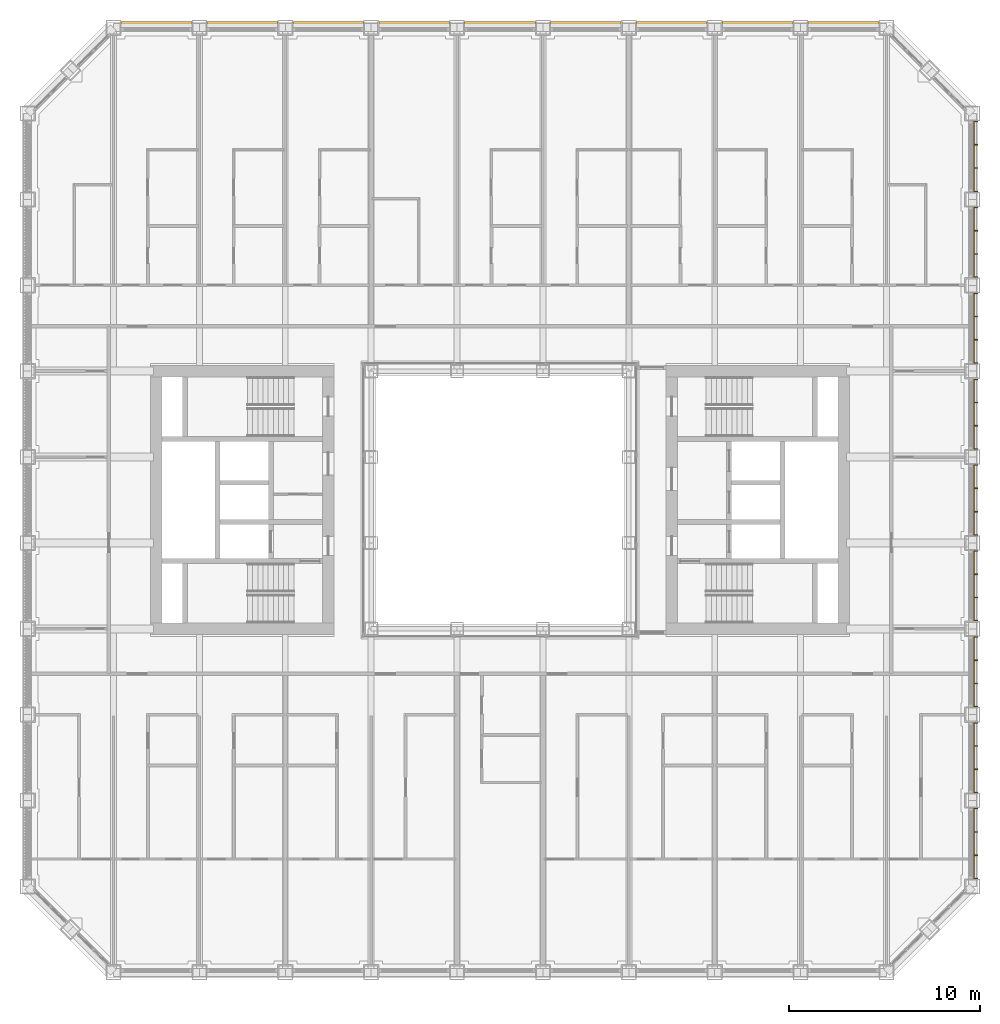
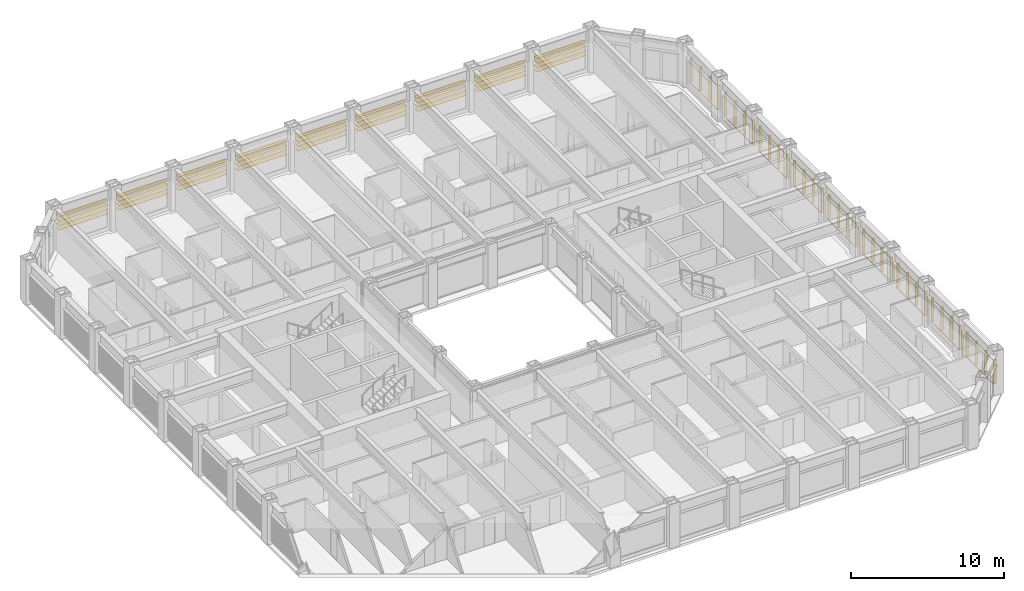
# One storey, part 21 of 21: 2 shading devices.
"""IFC4 building model written with IfcOpenShell, lengths in metres."""

from ifc_helpers import new_model, si_unit, direction, frame, origin, origin_2d, place, context, subcontext, project, spatial, rectangle, extrude, material, type_object, element, save


model = new_model("IFC4")

# Units and contexts
model_context = context("Model", 3, precision=1e-05, world=origin(), true_north=direction((0.0, 1.0)))
body_context = subcontext(model_context, "Body", "Model", "MODEL_VIEW")
ifc_project = project(units=[si_unit("LENGTHUNIT", "METRE"), si_unit("AREAUNIT", "SQUARE_METRE"), si_unit("VOLUMEUNIT", "CUBIC_METRE"), si_unit("PLANEANGLEUNIT", "RADIAN"), si_unit("MASSUNIT", "GRAM", prefix="KILO")], contexts=[model_context])

# Site, building, storey
site_placement = place(None, origin())
site = spatial("IfcSite", under=ifc_project, at=site_placement, CompositionType="ELEMENT")
building_placement = place(site_placement, origin())
building = spatial("IfcBuilding", under=site, at=building_placement, Name="Msasa Ring Tower", CompositionType="ELEMENT")
storey_placement = place(building_placement, frame((0.0, 0.0, 75.5)))
storey = spatial("IfcBuildingStorey", under=building, at=storey_placement, Name="L19", CompositionType="ELEMENT", Elevation=75.5)

# Shading devices
ifc_material_1 = material(Name="Extruded terracotta on aluminium carriers", Category="masonry")
shading_device_type_1 = type_object("IfcShadingDeviceType", Name="BS2 TERRACOTTA FIN SCREEN 40x200 AT 1350", PredefinedType="USERDEFINED", material=ifc_material_1)
shading_device_1_placement = place(storey_placement, origin())
element("IfcShadingDevice", 1, at=shading_device_1_placement, inside=storey, type_object=shading_device_type_1, Name="Terracotta fin screen E L19", ObjectType="BAGUETTE", PredefinedType="USERDEFINED", context=body_context, shape_type="SweptSolid", body=[
    extrude(rectangle(XDim=0.06005859375, YDim=0.0400390625, at=origin_2d()), frame((24.830078125, -19.85009765625, 0.330078125), z_axis=(0.0, 1.0, 0.0), x_axis=(0.0, 0.0, 1.0)), (0.0, 0.0, 1.0), 3.699951171875),
    extrude(rectangle(XDim=0.06005859375, YDim=0.0400390625, at=origin_2d()), frame((24.830078125, -19.85009765625, 2.198974609375), z_axis=(0.0, 1.0, 0.0), x_axis=(0.0, 0.0, 1.0)), (0.0, 0.0, 1.0), 3.699951171875),
    extrude(rectangle(XDim=0.0400390625, YDim=0.199951171875, at=origin_2d()), frame((24.945068359375, -19.830078125, 0.300048828125), z_axis=(0.0, 0.0, 1.0), x_axis=(0.0, 1.0, 0.0)), (0.0, 0.0, 1.0), 1.928955078125),
    extrude(rectangle(XDim=0.0400390625, YDim=0.199951171875, at=origin_2d()), frame((24.945068359375, -18.610107421875, 0.300048828125), z_axis=(0.0, 0.0, 1.0), x_axis=(0.0, 1.0, 0.0)), (0.0, 0.0, 1.0), 1.928955078125),
    extrude(rectangle(XDim=0.0400390625, YDim=0.199951171875, at=origin_2d()), frame((24.945068359375, -17.389892578125, 0.300048828125), z_axis=(0.0, 0.0, 1.0), x_axis=(0.0, 1.0, 0.0)), (0.0, 0.0, 1.0), 1.928955078125),
    extrude(rectangle(XDim=0.0400390625, YDim=0.199951171875, at=origin_2d()), frame((24.945068359375, -16.169921875, 0.300048828125), z_axis=(0.0, 0.0, 1.0), x_axis=(0.0, 1.0, 0.0)), (0.0, 0.0, 1.0), 1.928955078125),
    extrude(rectangle(XDim=0.06005859375, YDim=0.0400390625, at=origin_2d()), frame((24.830078125, -15.35009765625, 0.330078125), z_axis=(0.0, 1.0, 0.0), x_axis=(0.0, 0.0, 1.0)), (0.0, 0.0, 1.0), 3.699951171875),
    extrude(rectangle(XDim=0.06005859375, YDim=0.0400390625, at=origin_2d()), frame((24.830078125, -15.35009765625, 2.198974609375), z_axis=(0.0, 1.0, 0.0), x_axis=(0.0, 0.0, 1.0)), (0.0, 0.0, 1.0), 3.699951171875),
    extrude(rectangle(XDim=0.0400390625, YDim=0.199951171875, at=origin_2d()), frame((24.945068359375, -15.330078125, 0.300048828125), z_axis=(0.0, 0.0, 1.0), x_axis=(0.0, 1.0, 0.0)), (0.0, 0.0, 1.0), 1.928955078125),
    extrude(rectangle(XDim=0.0400390625, YDim=0.199951171875, at=origin_2d()), frame((24.945068359375, -14.110107421875, 0.300048828125), z_axis=(0.0, 0.0, 1.0), x_axis=(0.0, 1.0, 0.0)), (0.0, 0.0, 1.0), 1.928955078125),
    extrude(rectangle(XDim=0.0400390625, YDim=0.199951171875, at=origin_2d()), frame((24.945068359375, -12.889892578125, 0.300048828125), z_axis=(0.0, 0.0, 1.0), x_axis=(0.0, 1.0, 0.0)), (0.0, 0.0, 1.0), 1.928955078125),
    extrude(rectangle(XDim=0.0400390625, YDim=0.199951171875, at=origin_2d()), frame((24.945068359375, -11.669921875, 0.300048828125), z_axis=(0.0, 0.0, 1.0), x_axis=(0.0, 1.0, 0.0)), (0.0, 0.0, 1.0), 1.928955078125),
    extrude(rectangle(XDim=0.06005859375, YDim=0.0400390625, at=origin_2d()), frame((24.830078125, -10.85009765625, 0.330078125), z_axis=(0.0, 1.0, 0.0), x_axis=(0.0, 0.0, 1.0)), (0.0, 0.0, 1.0), 3.699951171875),
    extrude(rectangle(XDim=0.06005859375, YDim=0.0400390625, at=origin_2d()), frame((24.830078125, -10.85009765625, 2.198974609375), z_axis=(0.0, 1.0, 0.0), x_axis=(0.0, 0.0, 1.0)), (0.0, 0.0, 1.0), 3.699951171875),
    extrude(rectangle(XDim=0.0400390625, YDim=0.199951171875, at=origin_2d()), frame((24.945068359375, -10.830078125, 0.300048828125), z_axis=(0.0, 0.0, 1.0), x_axis=(0.0, 1.0, 0.0)), (0.0, 0.0, 1.0), 1.928955078125),
    extrude(rectangle(XDim=0.0400390625, YDim=0.199951171875, at=origin_2d()), frame((24.945068359375, -9.610107421875, 0.300048828125), z_axis=(0.0, 0.0, 1.0), x_axis=(0.0, 1.0, 0.0)), (0.0, 0.0, 1.0), 1.928955078125),
    extrude(rectangle(XDim=0.0400390625, YDim=0.199951171875, at=origin_2d()), frame((24.945068359375, -8.389892578125, 0.300048828125), z_axis=(0.0, 0.0, 1.0), x_axis=(0.0, 1.0, 0.0)), (0.0, 0.0, 1.0), 1.928955078125),
    extrude(rectangle(XDim=0.0400390625, YDim=0.199951171875, at=origin_2d()), frame((24.945068359375, -7.169921875, 0.300048828125), z_axis=(0.0, 0.0, 1.0), x_axis=(0.0, 1.0, 0.0)), (0.0, 0.0, 1.0), 1.928955078125),
    extrude(rectangle(XDim=0.06005859375, YDim=0.0400390625, at=origin_2d()), frame((24.830078125, -6.35009765625, 0.330078125), z_axis=(0.0, 1.0, 0.0), x_axis=(0.0, 0.0, 1.0)), (0.0, 0.0, 1.0), 3.699951171875),
    extrude(rectangle(XDim=0.06005859375, YDim=0.0400390625, at=origin_2d()), frame((24.830078125, -6.35009765625, 2.198974609375), z_axis=(0.0, 1.0, 0.0), x_axis=(0.0, 0.0, 1.0)), (0.0, 0.0, 1.0), 3.699951171875),
    extrude(rectangle(XDim=0.0400390625, YDim=0.199951171875, at=origin_2d()), frame((24.945068359375, -6.330078125, 0.300048828125), z_axis=(0.0, 0.0, 1.0), x_axis=(0.0, 1.0, 0.0)), (0.0, 0.0, 1.0), 1.928955078125),
    extrude(rectangle(XDim=0.0400390625, YDim=0.199951171875, at=origin_2d()), frame((24.945068359375, -5.110107421875, 0.300048828125), z_axis=(0.0, 0.0, 1.0), x_axis=(0.0, 1.0, 0.0)), (0.0, 0.0, 1.0), 1.928955078125),
    extrude(rectangle(XDim=0.0400390625, YDim=0.199951171875, at=origin_2d()), frame((24.945068359375, -3.889892578125, 0.300048828125), z_axis=(0.0, 0.0, 1.0), x_axis=(0.0, 1.0, 0.0)), (0.0, 0.0, 1.0), 1.928955078125),
    extrude(rectangle(XDim=0.0400390625, YDim=0.199951171875, at=origin_2d()), frame((24.945068359375, -2.669921875, 0.300048828125), z_axis=(0.0, 0.0, 1.0), x_axis=(0.0, 1.0, 0.0)), (0.0, 0.0, 1.0), 1.928955078125),
    extrude(rectangle(XDim=0.06005859375, YDim=0.0400390625, at=origin_2d()), frame((24.830078125, -1.85009765625, 0.330078125), z_axis=(0.0, 1.0, 0.0), x_axis=(0.0, 0.0, 1.0)), (0.0, 0.0, 1.0), 3.699951171875),
    extrude(rectangle(XDim=0.06005859375, YDim=0.0400390625, at=origin_2d()), frame((24.830078125, -1.85009765625, 2.198974609375), z_axis=(0.0, 1.0, 0.0), x_axis=(0.0, 0.0, 1.0)), (0.0, 0.0, 1.0), 3.699951171875),
    extrude(rectangle(XDim=0.0400390625, YDim=0.199951171875, at=origin_2d()), frame((24.945068359375, -1.830078125, 0.300048828125), z_axis=(0.0, 0.0, 1.0), x_axis=(0.0, 1.0, 0.0)), (0.0, 0.0, 1.0), 1.928955078125),
    extrude(rectangle(XDim=0.0400390625, YDim=0.199951171875, at=origin_2d()), frame((24.945068359375, -0.610107421875, 0.300048828125), z_axis=(0.0, 0.0, 1.0), x_axis=(0.0, 1.0, 0.0)), (0.0, 0.0, 1.0), 1.928955078125),
    extrude(rectangle(XDim=0.0400390625, YDim=0.199951171875, at=origin_2d()), frame((24.945068359375, 0.610107421875, 0.300048828125), z_axis=(0.0, 0.0, 1.0), x_axis=(0.0, 1.0, 0.0)), (0.0, 0.0, 1.0), 1.928955078125),
    extrude(rectangle(XDim=0.0400390625, YDim=0.199951171875, at=origin_2d()), frame((24.945068359375, 1.830078125, 0.300048828125), z_axis=(0.0, 0.0, 1.0), x_axis=(0.0, 1.0, 0.0)), (0.0, 0.0, 1.0), 1.928955078125),
    extrude(rectangle(XDim=0.06005859375, YDim=0.0400390625, at=origin_2d()), frame((24.830078125, 2.64990234375, 0.330078125), z_axis=(0.0, 1.0, 0.0), x_axis=(0.0, 0.0, 1.0)), (0.0, 0.0, 1.0), 3.699951171875),
    extrude(rectangle(XDim=0.06005859375, YDim=0.0400390625, at=origin_2d()), frame((24.830078125, 2.64990234375, 2.198974609375), z_axis=(0.0, 1.0, 0.0), x_axis=(0.0, 0.0, 1.0)), (0.0, 0.0, 1.0), 3.699951171875),
    extrude(rectangle(XDim=0.0400390625, YDim=0.199951171875, at=origin_2d()), frame((24.945068359375, 2.669921875, 0.300048828125), z_axis=(0.0, 0.0, 1.0), x_axis=(0.0, 1.0, 0.0)), (0.0, 0.0, 1.0), 1.928955078125),
    extrude(rectangle(XDim=0.0400390625, YDim=0.199951171875, at=origin_2d()), frame((24.945068359375, 3.889892578125, 0.300048828125), z_axis=(0.0, 0.0, 1.0), x_axis=(0.0, 1.0, 0.0)), (0.0, 0.0, 1.0), 1.928955078125),
    extrude(rectangle(XDim=0.0400390625, YDim=0.199951171875, at=origin_2d()), frame((24.945068359375, 5.110107421875, 0.300048828125), z_axis=(0.0, 0.0, 1.0), x_axis=(0.0, 1.0, 0.0)), (0.0, 0.0, 1.0), 1.928955078125),
    extrude(rectangle(XDim=0.0400390625, YDim=0.199951171875, at=origin_2d()), frame((24.945068359375, 6.330078125, 0.300048828125), z_axis=(0.0, 0.0, 1.0), x_axis=(0.0, 1.0, 0.0)), (0.0, 0.0, 1.0), 1.928955078125),
    extrude(rectangle(XDim=0.06005859375, YDim=0.0400390625, at=origin_2d()), frame((24.830078125, 7.14990234375, 0.330078125), z_axis=(0.0, 1.0, 0.0), x_axis=(0.0, 0.0, 1.0)), (0.0, 0.0, 1.0), 3.699951171875),
    extrude(rectangle(XDim=0.06005859375, YDim=0.0400390625, at=origin_2d()), frame((24.830078125, 7.14990234375, 2.198974609375), z_axis=(0.0, 1.0, 0.0), x_axis=(0.0, 0.0, 1.0)), (0.0, 0.0, 1.0), 3.699951171875),
    extrude(rectangle(XDim=0.0400390625, YDim=0.199951171875, at=origin_2d()), frame((24.945068359375, 7.169921875, 0.300048828125), z_axis=(0.0, 0.0, 1.0), x_axis=(0.0, 1.0, 0.0)), (0.0, 0.0, 1.0), 1.928955078125),
    extrude(rectangle(XDim=0.0400390625, YDim=0.199951171875, at=origin_2d()), frame((24.945068359375, 8.389892578125, 0.300048828125), z_axis=(0.0, 0.0, 1.0), x_axis=(0.0, 1.0, 0.0)), (0.0, 0.0, 1.0), 1.928955078125),
    extrude(rectangle(XDim=0.0400390625, YDim=0.199951171875, at=origin_2d()), frame((24.945068359375, 9.610107421875, 0.300048828125), z_axis=(0.0, 0.0, 1.0), x_axis=(0.0, 1.0, 0.0)), (0.0, 0.0, 1.0), 1.928955078125),
    extrude(rectangle(XDim=0.0400390625, YDim=0.199951171875, at=origin_2d()), frame((24.945068359375, 10.830078125, 0.300048828125), z_axis=(0.0, 0.0, 1.0), x_axis=(0.0, 1.0, 0.0)), (0.0, 0.0, 1.0), 1.928955078125),
    extrude(rectangle(XDim=0.06005859375, YDim=0.0400390625, at=origin_2d()), frame((24.830078125, 11.64990234375, 0.330078125), z_axis=(0.0, 1.0, 0.0), x_axis=(0.0, 0.0, 1.0)), (0.0, 0.0, 1.0), 3.699951171875),
    extrude(rectangle(XDim=0.06005859375, YDim=0.0400390625, at=origin_2d()), frame((24.830078125, 11.64990234375, 2.198974609375), z_axis=(0.0, 1.0, 0.0), x_axis=(0.0, 0.0, 1.0)), (0.0, 0.0, 1.0), 3.699951171875),
    extrude(rectangle(XDim=0.0400390625, YDim=0.199951171875, at=origin_2d()), frame((24.945068359375, 11.669921875, 0.300048828125), z_axis=(0.0, 0.0, 1.0), x_axis=(0.0, 1.0, 0.0)), (0.0, 0.0, 1.0), 1.928955078125),
    extrude(rectangle(XDim=0.0400390625, YDim=0.199951171875, at=origin_2d()), frame((24.945068359375, 12.889892578125, 0.300048828125), z_axis=(0.0, 0.0, 1.0), x_axis=(0.0, 1.0, 0.0)), (0.0, 0.0, 1.0), 1.928955078125),
    extrude(rectangle(XDim=0.0400390625, YDim=0.199951171875, at=origin_2d()), frame((24.945068359375, 14.110107421875, 0.300048828125), z_axis=(0.0, 0.0, 1.0), x_axis=(0.0, 1.0, 0.0)), (0.0, 0.0, 1.0), 1.928955078125),
    extrude(rectangle(XDim=0.0400390625, YDim=0.199951171875, at=origin_2d()), frame((24.945068359375, 15.330078125, 0.300048828125), z_axis=(0.0, 0.0, 1.0), x_axis=(0.0, 1.0, 0.0)), (0.0, 0.0, 1.0), 1.928955078125),
    extrude(rectangle(XDim=0.06005859375, YDim=0.0400390625, at=origin_2d()), frame((24.830078125, 16.14990234375, 0.330078125), z_axis=(0.0, 1.0, 0.0), x_axis=(0.0, 0.0, 1.0)), (0.0, 0.0, 1.0), 3.699951171875),
    extrude(rectangle(XDim=0.06005859375, YDim=0.0400390625, at=origin_2d()), frame((24.830078125, 16.14990234375, 2.198974609375), z_axis=(0.0, 1.0, 0.0), x_axis=(0.0, 0.0, 1.0)), (0.0, 0.0, 1.0), 3.699951171875),
    extrude(rectangle(XDim=0.0400390625, YDim=0.199951171875, at=origin_2d()), frame((24.945068359375, 16.169921875, 0.300048828125), z_axis=(0.0, 0.0, 1.0), x_axis=(0.0, 1.0, 0.0)), (0.0, 0.0, 1.0), 1.928955078125),
    extrude(rectangle(XDim=0.0400390625, YDim=0.199951171875, at=origin_2d()), frame((24.945068359375, 17.389892578125, 0.300048828125), z_axis=(0.0, 0.0, 1.0), x_axis=(0.0, 1.0, 0.0)), (0.0, 0.0, 1.0), 1.928955078125),
    extrude(rectangle(XDim=0.0400390625, YDim=0.199951171875, at=origin_2d()), frame((24.945068359375, 18.610107421875, 0.300048828125), z_axis=(0.0, 0.0, 1.0), x_axis=(0.0, 1.0, 0.0)), (0.0, 0.0, 1.0), 1.928955078125),
    extrude(rectangle(XDim=0.0400390625, YDim=0.199951171875, at=origin_2d()), frame((24.945068359375, 19.830078125, 0.300048828125), z_axis=(0.0, 0.0, 1.0), x_axis=(0.0, 1.0, 0.0)), (0.0, 0.0, 1.0), 1.928955078125),
])
ifc_material_2 = material(Name="Extruded terracotta blades", Category="masonry")
shading_device_type_2 = type_object("IfcShadingDeviceType", Name="SS1 TERRACOTTA SUNSHADE 4 BLADES 300x40 AT 350", PredefinedType="USERDEFINED", material=ifc_material_2)
shading_device_2_placement = place(storey_placement, origin())
element("IfcShadingDevice", 2, at=shading_device_2_placement, inside=storey, type_object=shading_device_type_2, Name="Terracotta sunshade N L19", ObjectType="SUNSHADE", PredefinedType="USERDEFINED", context=body_context, shape_type="SweptSolid", body=[
    extrude(rectangle(XDim=0.0400390625, YDim=0.300048828125, at=origin_2d()), frame((-19.85009765625, 24.929931640625, 2.208984375), z_axis=(1.0, 0.0, 0.0), x_axis=(0.0, 0.0, 1.0)), (0.0, 0.0, 1.0), 3.699951171875),
    extrude(rectangle(XDim=0.0400390625, YDim=0.300048828125, at=origin_2d()), frame((-19.85009765625, 24.929931640625, 1.85888671875), z_axis=(1.0, 0.0, 0.0), x_axis=(0.0, 0.0, 1.0)), (0.0, 0.0, 1.0), 3.699951171875),
    extrude(rectangle(XDim=0.0400390625, YDim=0.300048828125, at=origin_2d()), frame((-19.85009765625, 24.929931640625, 1.509033203125), z_axis=(1.0, 0.0, 0.0), x_axis=(0.0, 0.0, 1.0)), (0.0, 0.0, 1.0), 3.699951171875),
    extrude(rectangle(XDim=0.0400390625, YDim=0.300048828125, at=origin_2d()), frame((-19.85009765625, 24.929931640625, 1.158935546875), z_axis=(1.0, 0.0, 0.0), x_axis=(0.0, 0.0, 1.0)), (0.0, 0.0, 1.0), 3.699951171875),
    extrude(rectangle(XDim=0.0400390625, YDim=0.300048828125, at=origin_2d()), frame((-15.35009765625, 24.929931640625, 2.208984375), z_axis=(1.0, 0.0, 0.0), x_axis=(0.0, 0.0, 1.0)), (0.0, 0.0, 1.0), 3.699951171875),
    extrude(rectangle(XDim=0.0400390625, YDim=0.300048828125, at=origin_2d()), frame((-15.35009765625, 24.929931640625, 1.85888671875), z_axis=(1.0, 0.0, 0.0), x_axis=(0.0, 0.0, 1.0)), (0.0, 0.0, 1.0), 3.699951171875),
    extrude(rectangle(XDim=0.0400390625, YDim=0.300048828125, at=origin_2d()), frame((-15.35009765625, 24.929931640625, 1.509033203125), z_axis=(1.0, 0.0, 0.0), x_axis=(0.0, 0.0, 1.0)), (0.0, 0.0, 1.0), 3.699951171875),
    extrude(rectangle(XDim=0.0400390625, YDim=0.300048828125, at=origin_2d()), frame((-15.35009765625, 24.929931640625, 1.158935546875), z_axis=(1.0, 0.0, 0.0), x_axis=(0.0, 0.0, 1.0)), (0.0, 0.0, 1.0), 3.699951171875),
    extrude(rectangle(XDim=0.0400390625, YDim=0.300048828125, at=origin_2d()), frame((-10.85009765625, 24.929931640625, 2.208984375), z_axis=(1.0, 0.0, 0.0), x_axis=(0.0, 0.0, 1.0)), (0.0, 0.0, 1.0), 3.699951171875),
    extrude(rectangle(XDim=0.0400390625, YDim=0.300048828125, at=origin_2d()), frame((-10.85009765625, 24.929931640625, 1.85888671875), z_axis=(1.0, 0.0, 0.0), x_axis=(0.0, 0.0, 1.0)), (0.0, 0.0, 1.0), 3.699951171875),
    extrude(rectangle(XDim=0.0400390625, YDim=0.300048828125, at=origin_2d()), frame((-10.85009765625, 24.929931640625, 1.509033203125), z_axis=(1.0, 0.0, 0.0), x_axis=(0.0, 0.0, 1.0)), (0.0, 0.0, 1.0), 3.699951171875),
    extrude(rectangle(XDim=0.0400390625, YDim=0.300048828125, at=origin_2d()), frame((-10.85009765625, 24.929931640625, 1.158935546875), z_axis=(1.0, 0.0, 0.0), x_axis=(0.0, 0.0, 1.0)), (0.0, 0.0, 1.0), 3.699951171875),
    extrude(rectangle(XDim=0.0400390625, YDim=0.300048828125, at=origin_2d()), frame((-6.35009765625, 24.929931640625, 2.208984375), z_axis=(1.0, 0.0, 0.0), x_axis=(0.0, 0.0, 1.0)), (0.0, 0.0, 1.0), 3.699951171875),
    extrude(rectangle(XDim=0.0400390625, YDim=0.300048828125, at=origin_2d()), frame((-6.35009765625, 24.929931640625, 1.85888671875), z_axis=(1.0, 0.0, 0.0), x_axis=(0.0, 0.0, 1.0)), (0.0, 0.0, 1.0), 3.699951171875),
    extrude(rectangle(XDim=0.0400390625, YDim=0.300048828125, at=origin_2d()), frame((-6.35009765625, 24.929931640625, 1.509033203125), z_axis=(1.0, 0.0, 0.0), x_axis=(0.0, 0.0, 1.0)), (0.0, 0.0, 1.0), 3.699951171875),
    extrude(rectangle(XDim=0.0400390625, YDim=0.300048828125, at=origin_2d()), frame((-6.35009765625, 24.929931640625, 1.158935546875), z_axis=(1.0, 0.0, 0.0), x_axis=(0.0, 0.0, 1.0)), (0.0, 0.0, 1.0), 3.699951171875),
    extrude(rectangle(XDim=0.0400390625, YDim=0.300048828125, at=origin_2d()), frame((-1.85009765625, 24.929931640625, 2.208984375), z_axis=(1.0, 0.0, 0.0), x_axis=(0.0, 0.0, 1.0)), (0.0, 0.0, 1.0), 3.699951171875),
    extrude(rectangle(XDim=0.0400390625, YDim=0.300048828125, at=origin_2d()), frame((-1.85009765625, 24.929931640625, 1.85888671875), z_axis=(1.0, 0.0, 0.0), x_axis=(0.0, 0.0, 1.0)), (0.0, 0.0, 1.0), 3.699951171875),
    extrude(rectangle(XDim=0.0400390625, YDim=0.300048828125, at=origin_2d()), frame((-1.85009765625, 24.929931640625, 1.509033203125), z_axis=(1.0, 0.0, 0.0), x_axis=(0.0, 0.0, 1.0)), (0.0, 0.0, 1.0), 3.699951171875),
    extrude(rectangle(XDim=0.0400390625, YDim=0.300048828125, at=origin_2d()), frame((-1.85009765625, 24.929931640625, 1.158935546875), z_axis=(1.0, 0.0, 0.0), x_axis=(0.0, 0.0, 1.0)), (0.0, 0.0, 1.0), 3.699951171875),
    extrude(rectangle(XDim=0.0400390625, YDim=0.300048828125, at=origin_2d()), frame((2.64990234375, 24.929931640625, 2.208984375), z_axis=(1.0, 0.0, 0.0), x_axis=(0.0, 0.0, 1.0)), (0.0, 0.0, 1.0), 3.699951171875),
    extrude(rectangle(XDim=0.0400390625, YDim=0.300048828125, at=origin_2d()), frame((2.64990234375, 24.929931640625, 1.85888671875), z_axis=(1.0, 0.0, 0.0), x_axis=(0.0, 0.0, 1.0)), (0.0, 0.0, 1.0), 3.699951171875),
    extrude(rectangle(XDim=0.0400390625, YDim=0.300048828125, at=origin_2d()), frame((2.64990234375, 24.929931640625, 1.509033203125), z_axis=(1.0, 0.0, 0.0), x_axis=(0.0, 0.0, 1.0)), (0.0, 0.0, 1.0), 3.699951171875),
    extrude(rectangle(XDim=0.0400390625, YDim=0.300048828125, at=origin_2d()), frame((2.64990234375, 24.929931640625, 1.158935546875), z_axis=(1.0, 0.0, 0.0), x_axis=(0.0, 0.0, 1.0)), (0.0, 0.0, 1.0), 3.699951171875),
    extrude(rectangle(XDim=0.0400390625, YDim=0.300048828125, at=origin_2d()), frame((7.14990234375, 24.929931640625, 2.208984375), z_axis=(1.0, 0.0, 0.0), x_axis=(0.0, 0.0, 1.0)), (0.0, 0.0, 1.0), 3.699951171875),
    extrude(rectangle(XDim=0.0400390625, YDim=0.300048828125, at=origin_2d()), frame((7.14990234375, 24.929931640625, 1.85888671875), z_axis=(1.0, 0.0, 0.0), x_axis=(0.0, 0.0, 1.0)), (0.0, 0.0, 1.0), 3.699951171875),
    extrude(rectangle(XDim=0.0400390625, YDim=0.300048828125, at=origin_2d()), frame((7.14990234375, 24.929931640625, 1.509033203125), z_axis=(1.0, 0.0, 0.0), x_axis=(0.0, 0.0, 1.0)), (0.0, 0.0, 1.0), 3.699951171875),
    extrude(rectangle(XDim=0.0400390625, YDim=0.300048828125, at=origin_2d()), frame((7.14990234375, 24.929931640625, 1.158935546875), z_axis=(1.0, 0.0, 0.0), x_axis=(0.0, 0.0, 1.0)), (0.0, 0.0, 1.0), 3.699951171875),
    extrude(rectangle(XDim=0.0400390625, YDim=0.300048828125, at=origin_2d()), frame((11.64990234375, 24.929931640625, 2.208984375), z_axis=(1.0, 0.0, 0.0), x_axis=(0.0, 0.0, 1.0)), (0.0, 0.0, 1.0), 3.699951171875),
    extrude(rectangle(XDim=0.0400390625, YDim=0.300048828125, at=origin_2d()), frame((11.64990234375, 24.929931640625, 1.85888671875), z_axis=(1.0, 0.0, 0.0), x_axis=(0.0, 0.0, 1.0)), (0.0, 0.0, 1.0), 3.699951171875),
    extrude(rectangle(XDim=0.0400390625, YDim=0.300048828125, at=origin_2d()), frame((11.64990234375, 24.929931640625, 1.509033203125), z_axis=(1.0, 0.0, 0.0), x_axis=(0.0, 0.0, 1.0)), (0.0, 0.0, 1.0), 3.699951171875),
    extrude(rectangle(XDim=0.0400390625, YDim=0.300048828125, at=origin_2d()), frame((11.64990234375, 24.929931640625, 1.158935546875), z_axis=(1.0, 0.0, 0.0), x_axis=(0.0, 0.0, 1.0)), (0.0, 0.0, 1.0), 3.699951171875),
    extrude(rectangle(XDim=0.0400390625, YDim=0.300048828125, at=origin_2d()), frame((16.14990234375, 24.929931640625, 2.208984375), z_axis=(1.0, 0.0, 0.0), x_axis=(0.0, 0.0, 1.0)), (0.0, 0.0, 1.0), 3.699951171875),
    extrude(rectangle(XDim=0.0400390625, YDim=0.300048828125, at=origin_2d()), frame((16.14990234375, 24.929931640625, 1.85888671875), z_axis=(1.0, 0.0, 0.0), x_axis=(0.0, 0.0, 1.0)), (0.0, 0.0, 1.0), 3.699951171875),
    extrude(rectangle(XDim=0.0400390625, YDim=0.300048828125, at=origin_2d()), frame((16.14990234375, 24.929931640625, 1.509033203125), z_axis=(1.0, 0.0, 0.0), x_axis=(0.0, 0.0, 1.0)), (0.0, 0.0, 1.0), 3.699951171875),
    extrude(rectangle(XDim=0.0400390625, YDim=0.300048828125, at=origin_2d()), frame((16.14990234375, 24.929931640625, 1.158935546875), z_axis=(1.0, 0.0, 0.0), x_axis=(0.0, 0.0, 1.0)), (0.0, 0.0, 1.0), 3.699951171875),
])

save(model, "model.ifc")
